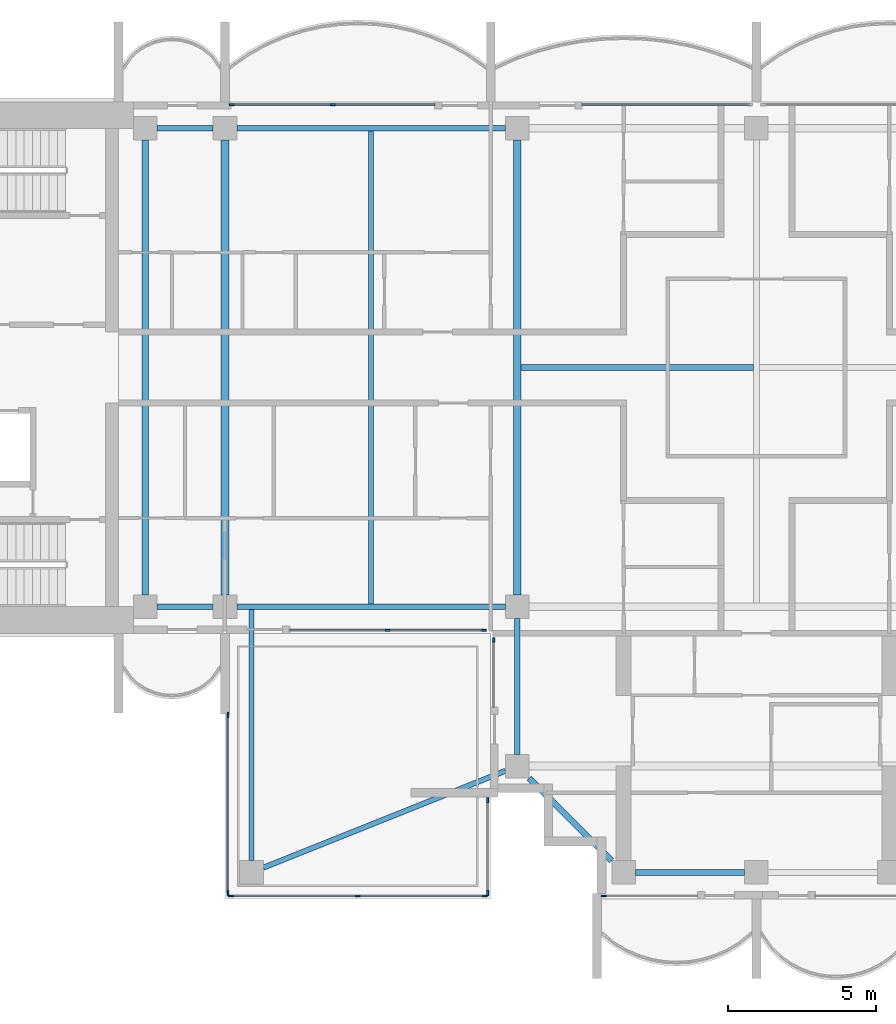
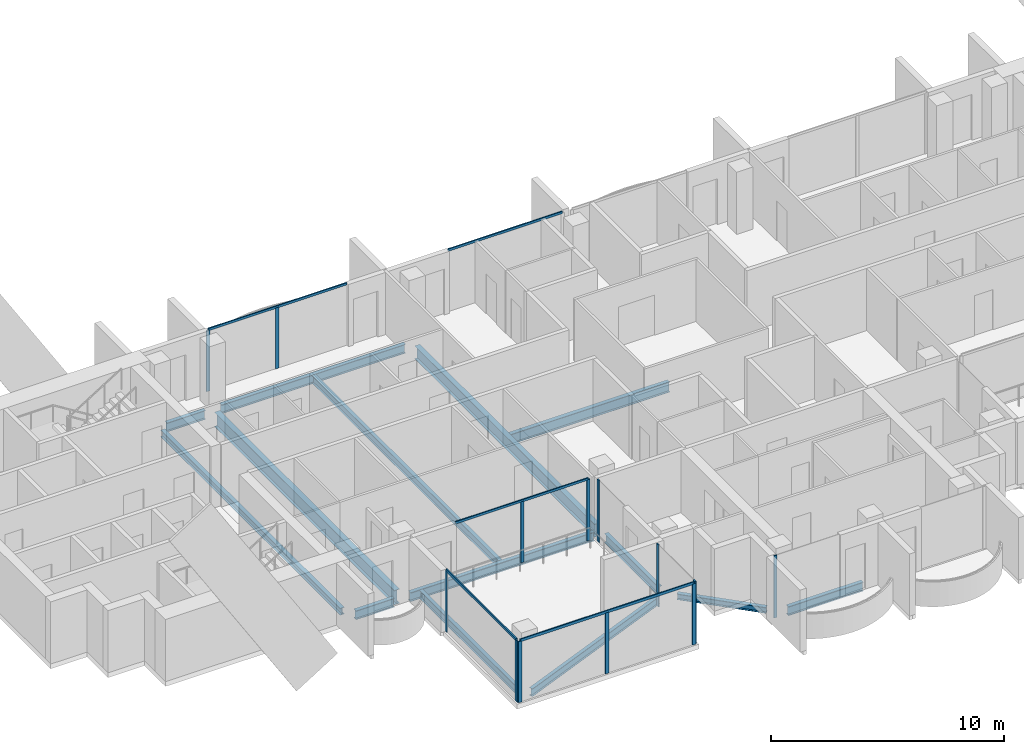
# One storey, part 2 of 16: 18 members, 14 beams, 8 elements without a shape of their own.
"""IFC4 building model written with IfcOpenShell, lengths in metres."""

from ifc_helpers import new_model, si_unit, direction, frame, origin, origin_2d, place, context, subcontext, project, spatial, rectangle, i_section, extrude, material, material_profile, profile_set, type_object, element, aggregate, save


model = new_model("IFC4")

# Units and contexts
model_context = context("Model", 3, precision=1e-05, world=origin(), true_north=direction((0.0, 1.0)))
body_context = subcontext(model_context, "Body", "Model", "MODEL_VIEW")
ifc_project = project(units=[si_unit("LENGTHUNIT", "METRE"), si_unit("AREAUNIT", "SQUARE_METRE"), si_unit("VOLUMEUNIT", "CUBIC_METRE"), si_unit("PLANEANGLEUNIT", "RADIAN"), si_unit("MASSUNIT", "GRAM", prefix="KILO")], contexts=[model_context])

# Site, building, storey
site_placement = place(None, origin())
site = spatial("IfcSite", under=ifc_project, at=site_placement, CompositionType="ELEMENT")
building_placement = place(site_placement, origin())
building = spatial("IfcBuilding", under=site, at=building_placement, Name="Perihelion Cross Residences", CompositionType="ELEMENT")
storey_placement = place(building_placement, frame((0.0, 0.0, 250.0)))
storey = spatial("IfcBuildingStorey", under=building, at=storey_placement, Name="L63", CompositionType="ELEMENT", Elevation=250.0)

# Curtain wall, members
ifc_material_1 = material(Name="Bronze anodised aluminium, tinted glazing", Category="aluminium")
curtain_wall_type_1 = type_object("IfcCurtainWallType", Name="CW1", PredefinedType="NOTDEFINED", material=ifc_material_1)
curtain_wall_1_placement = place(storey_placement, origin())
curtain_wall_1 = element("IfcCurtainWall", 1, at=curtain_wall_1_placement, inside=storey, type_object=curtain_wall_type_1, Name="Curtain wall CW1 L63 west side north bay 1", PredefinedType="NOTDEFINED")
ifc_material_2 = material(Name="Bronze anodised aluminium", Category="aluminium")
ifc_material_profile_1 = material_profile(ifc_material_2, rectangle(XDim=0.06005859375, YDim=0.159912109375, at=origin_2d()), Name="CW1 mullion")
ifc_profile_set_1 = profile_set([ifc_material_profile_1], Name="Bronze anodised aluminium")
member_type_1 = type_object("IfcMemberType", Name="CW1 mullion", PredefinedType="MULLION", material=ifc_profile_set_1)
member_1_placement = place(storey_placement, frame((-14.35009765625, 8.89990234375, 0.0), z_axis=(0.0, 0.0, 1.0), x_axis=(0.0, -1.0, 0.0)))
member_1 = element("IfcMember", 2, at=member_1_placement, type_object=member_type_1, Name="CW1 mullion 2", PredefinedType="MULLION", context=body_context, shape_type="SweptSolid", body=[
    extrude(rectangle(XDim=0.06005859375, YDim=0.159912109375, at=origin_2d()), origin(), (0.0, 0.0, 1.0), 3.18994140625),
])
member_2_placement = place(storey_placement, frame((-17.77001953125, 8.89990234375, 0.0), z_axis=(0.0, 0.0, 1.0), x_axis=(0.0, -1.0, 0.0)))
member_2 = element("IfcMember", 3, at=member_2_placement, type_object=member_type_1, Name="CW1 mullion 3", PredefinedType="MULLION", context=body_context, shape_type="SweptSolid", body=[
    extrude(rectangle(XDim=0.06005859375, YDim=0.159912109375, at=origin_2d()), origin(), (0.0, 0.0, 1.0), 3.18994140625),
])

curtain_wall_2_placement = place(storey_placement, origin())
curtain_wall_2 = element("IfcCurtainWall", 4, at=curtain_wall_2_placement, inside=storey, type_object=curtain_wall_type_1, Name="Curtain wall CW1 L63 west side south bay 2", PredefinedType="NOTDEFINED")
member_3_placement = place(storey_placement, frame((-12.5, -8.89990234375, 0.0), z_axis=(0.0, 0.0, 1.0), x_axis=(0.0, 1.0, 0.0)))
member_3 = element("IfcMember", 5, at=member_3_placement, type_object=member_type_1, Name="CW1 mullion 2", PredefinedType="MULLION", context=body_context, shape_type="SweptSolid", body=[
    extrude(rectangle(XDim=0.06005859375, YDim=0.159912109375, at=origin_2d()), origin(), (0.0, 0.0, 1.0), 3.18994140625),
])
member_4_placement = place(storey_placement, frame((-9.22998046875, -8.89990234375, 0.0), z_axis=(0.0, 0.0, 1.0), x_axis=(0.0, 1.0, 0.0)))
member_4 = element("IfcMember", 6, at=member_4_placement, type_object=member_type_1, Name="CW1 mullion 3", PredefinedType="MULLION", context=body_context, shape_type="SweptSolid", body=[
    extrude(rectangle(XDim=0.06005859375, YDim=0.159912109375, at=origin_2d()), origin(), (0.0, 0.0, 1.0), 3.18994140625),
])

# Curtain wall, member
curtain_wall_3_placement = place(storey_placement, origin())
curtain_wall_3 = element("IfcCurtainWall", 7, at=curtain_wall_3_placement, inside=storey, type_object=curtain_wall_type_1, Name="Curtain wall CW1 L63 south side west bay 1", PredefinedType="NOTDEFINED")
member_5_placement = place(storey_placement, frame((-8.89990234375, -9.22998046875, 0.0), z_axis=(0.0, 0.0, 1.0), x_axis=(1.0, 0.0, 0.0)))
member_5 = element("IfcMember", 8, at=member_5_placement, type_object=member_type_1, Name="CW1 mullion 1", PredefinedType="MULLION", context=body_context, shape_type="SweptSolid", body=[
    extrude(rectangle(XDim=0.06005859375, YDim=0.159912109375, at=origin_2d()), origin(), (0.0, 0.0, 1.0), 3.25),
])
aggregate(curtain_wall_3, [member_5])

curtain_wall_4_placement = place(storey_placement, origin())
curtain_wall_4 = element("IfcCurtainWall", 9, at=curtain_wall_4_placement, inside=storey, type_object=curtain_wall_type_1, Name="Curtain wall CW1 L63 south tip south bay 1", PredefinedType="NOTDEFINED")
member_6_placement = place(storey_placement, frame((-5.169921875, -17.89990234375, 0.0), z_axis=(0.0, 0.0, 1.0), x_axis=(0.0, 1.0, 0.0)))
member_6 = element("IfcMember", 10, at=member_6_placement, type_object=member_type_1, Name="CW1 mullion 1", PredefinedType="MULLION", context=body_context, shape_type="SweptSolid", body=[
    extrude(rectangle(XDim=0.06005859375, YDim=0.159912109375, at=origin_2d()), origin(), (0.0, 0.0, 1.0), 3.25),
])
aggregate(curtain_wall_4, [member_6])

curtain_wall_5_placement = place(storey_placement, origin())
curtain_wall_5 = element("IfcCurtainWall", 11, at=curtain_wall_5_placement, inside=storey, type_object=curtain_wall_type_1, Name="Curtain wall CW1 L63 north side east bay 2", PredefinedType="NOTDEFINED")
ifc_material_3 = material(Name="Bronze anodised aluminium", Category="aluminium")
ifc_material_profile_2 = material_profile(ifc_material_3, rectangle(XDim=0.06005859375, YDim=0.1201171875, at=origin_2d()), Name="CW1 transom")
ifc_profile_set_2 = profile_set([ifc_material_profile_2], Name="Bronze anodised aluminium")
member_type_2 = type_object("IfcMemberType", Name="CW1 transom", PredefinedType="USERDEFINED", material=ifc_profile_set_2)
member_7_placement = place(storey_placement, frame((-0.22998046875, 8.89990234375, 3.219970703125), z_axis=(-1.0, 0.0, 0.0), x_axis=(0.0, -1.0, 0.0)))
member_7 = element("IfcMember", 12, at=member_7_placement, type_object=member_type_2, Name="CW1 head transom", ObjectType="TRANSOM", PredefinedType="USERDEFINED", context=body_context, shape_type="SweptSolid", body=[
    extrude(rectangle(XDim=0.06005859375, YDim=0.1201171875, at=origin_2d()), origin(), (0.0, 0.0, 1.0), 5.669921875),
])
aggregate(curtain_wall_5, [member_7])

# Member
member_8_placement = place(storey_placement, frame((-10.89990234375, 8.89990234375, 3.219970703125), z_axis=(-1.0, 0.0, 0.0), x_axis=(0.0, -1.0, 0.0)))
member_8 = element("IfcMember", 13, at=member_8_placement, type_object=member_type_2, Name="CW1 head transom", ObjectType="TRANSOM", PredefinedType="USERDEFINED", context=body_context, shape_type="SweptSolid", body=[
    extrude(rectangle(XDim=0.06005859375, YDim=0.1201171875, at=origin_2d()), origin(), (0.0, 0.0, 1.0), 6.8701171875),
])

aggregate(curtain_wall_1, [member_1, member_2, member_8])

member_9_placement = place(storey_placement, frame((-15.800048828125, -8.89990234375, 3.219970703125), z_axis=(1.0, 0.0, 0.0), x_axis=(0.0, 1.0, 0.0)))
member_9 = element("IfcMember", 14, at=member_9_placement, type_object=member_type_2, Name="CW1 head transom", ObjectType="TRANSOM", PredefinedType="USERDEFINED", context=body_context, shape_type="SweptSolid", body=[
    extrude(rectangle(XDim=0.06005859375, YDim=0.1201171875, at=origin_2d()), origin(), (0.0, 0.0, 1.0), 6.570068359375),
])

aggregate(curtain_wall_2, [member_3, member_4, member_9])

# Curtain wall, members
ifc_material_4 = material(Name="Bronze anodised aluminium, tinted glazing", Category="aluminium")
curtain_wall_type_2 = type_object("IfcCurtainWallType", Name="CW4", PredefinedType="NOTDEFINED", material=ifc_material_4)
curtain_wall_6_placement = place(storey_placement, origin())
curtain_wall_6 = element("IfcCurtainWall", 15, at=curtain_wall_6_placement, inside=storey, type_object=curtain_wall_type_2, Name="Curtain wall CW4 L63 pocket south-west 1 1", PredefinedType="NOTDEFINED")
ifc_material_5 = material(Name="Bronze anodised aluminium", Category="aluminium")
ifc_material_profile_3 = material_profile(ifc_material_5, rectangle(XDim=0.06005859375, YDim=0.179931640625, at=origin_2d()), Name="CW4 mullion")
ifc_profile_set_3 = profile_set([ifc_material_profile_3], Name="Bronze anodised aluminium")
member_type_3 = type_object("IfcMemberType", Name="CW4 mullion", PredefinedType="MULLION", material=ifc_profile_set_3)
member_10_placement = place(storey_placement, frame((-9.10009765625, -14.658935546875, 0.0), z_axis=(0.0, 0.0, 1.0), x_axis=(1.0, 0.0, 0.0)))
member_10 = element("IfcMember", 16, at=member_10_placement, type_object=member_type_3, Name="CW4 mullion 1", PredefinedType="MULLION", context=body_context, shape_type="SweptSolid", body=[
    extrude(rectangle(XDim=0.06005859375, YDim=0.179931640625, at=origin_2d()), origin(), (0.0, 0.0, 1.0), 3.25),
])
member_11_placement = place(storey_placement, frame((-9.10009765625, -17.800048828125, 0.0), z_axis=(0.0, 0.0, 1.0), x_axis=(1.0, 0.0, 0.0)))
member_11 = element("IfcMember", 17, at=member_11_placement, type_object=member_type_3, Name="CW4 mullion 2", PredefinedType="MULLION", context=body_context, shape_type="SweptSolid", body=[
    extrude(rectangle(XDim=0.06005859375, YDim=0.179931640625, at=origin_2d()), origin(), (0.0, 0.0, 1.0), 3.25),
])
aggregate(curtain_wall_6, [member_10, member_11])

curtain_wall_7_placement = place(storey_placement, origin())
curtain_wall_7 = element("IfcCurtainWall", 18, at=curtain_wall_7_placement, inside=storey, type_object=curtain_wall_type_2, Name="Curtain wall CW4 L63 pocket south-west 1 2", PredefinedType="NOTDEFINED")
member_12_placement = place(storey_placement, frame((-9.199951171875, -17.89990234375, 0.0), z_axis=(0.0, 0.0, 1.0), x_axis=(0.0, -1.0, 0.0)))
member_12 = element("IfcMember", 19, at=member_12_placement, type_object=member_type_3, Name="CW4 mullion 1", PredefinedType="MULLION", context=body_context, shape_type="SweptSolid", body=[
    extrude(rectangle(XDim=0.06005859375, YDim=0.179931640625, at=origin_2d()), origin(), (0.0, 0.0, 1.0), 3.18994140625),
])
member_13_placement = place(storey_placement, frame((-13.5, -17.89990234375, 0.0), z_axis=(0.0, 0.0, 1.0), x_axis=(0.0, -1.0, 0.0)))
member_13 = element("IfcMember", 20, at=member_13_placement, type_object=member_type_3, Name="CW4 mullion 2", PredefinedType="MULLION", context=body_context, shape_type="SweptSolid", body=[
    extrude(rectangle(XDim=0.06005859375, YDim=0.179931640625, at=origin_2d()), origin(), (0.0, 0.0, 1.0), 3.18994140625),
])
member_14_placement = place(storey_placement, frame((-17.800048828125, -17.89990234375, 0.0), z_axis=(0.0, 0.0, 1.0), x_axis=(0.0, -1.0, 0.0)))
member_14 = element("IfcMember", 21, at=member_14_placement, type_object=member_type_3, Name="CW4 mullion 3", PredefinedType="MULLION", context=body_context, shape_type="SweptSolid", body=[
    extrude(rectangle(XDim=0.06005859375, YDim=0.179931640625, at=origin_2d()), origin(), (0.0, 0.0, 1.0), 3.18994140625),
])

curtain_wall_8_placement = place(storey_placement, origin())
curtain_wall_8 = element("IfcCurtainWall", 22, at=curtain_wall_8_placement, inside=storey, type_object=curtain_wall_type_2, Name="Curtain wall CW4 L63 pocket south-west 1 3", PredefinedType="NOTDEFINED")
member_15_placement = place(storey_placement, frame((-17.89990234375, -17.800048828125, 0.0), z_axis=(0.0, 0.0, 1.0), x_axis=(-1.0, 0.0, 0.0)))
member_15 = element("IfcMember", 23, at=member_15_placement, type_object=member_type_3, Name="CW4 mullion 1", PredefinedType="MULLION", context=body_context, shape_type="SweptSolid", body=[
    extrude(rectangle(XDim=0.06005859375, YDim=0.179931640625, at=origin_2d()), origin(), (0.0, 0.0, 1.0), 3.18994140625),
])
member_16_placement = place(storey_placement, frame((-17.89990234375, -11.77001953125, 0.0), z_axis=(0.0, 0.0, 1.0), x_axis=(-1.0, 0.0, 0.0)))
member_16 = element("IfcMember", 24, at=member_16_placement, type_object=member_type_3, Name="CW4 mullion 2", PredefinedType="MULLION", context=body_context, shape_type="SweptSolid", body=[
    extrude(rectangle(XDim=0.06005859375, YDim=0.179931640625, at=origin_2d()), origin(), (0.0, 0.0, 1.0), 3.18994140625),
])

# Member
ifc_material_6 = material(Name="Bronze anodised aluminium", Category="aluminium")
ifc_material_profile_4 = material_profile(ifc_material_6, rectangle(XDim=0.06005859375, YDim=0.139892578125, at=origin_2d()), Name="CW4 transom")
ifc_profile_set_4 = profile_set([ifc_material_profile_4], Name="Bronze anodised aluminium")
member_type_4 = type_object("IfcMemberType", Name="CW4 transom", PredefinedType="USERDEFINED", material=ifc_profile_set_4)
member_17_placement = place(storey_placement, frame((-9.199951171875, -17.89990234375, 3.219970703125), z_axis=(-1.0, 0.0, 0.0), x_axis=(0.0, -1.0, 0.0)))
member_17 = element("IfcMember", 25, at=member_17_placement, type_object=member_type_4, Name="CW4 head transom", ObjectType="TRANSOM", PredefinedType="USERDEFINED", context=body_context, shape_type="SweptSolid", body=[
    extrude(rectangle(XDim=0.06005859375, YDim=0.139892578125, at=origin_2d()), origin(), (0.0, 0.0, 1.0), 8.60009765625),
])

aggregate(curtain_wall_7, [member_12, member_13, member_14, member_17])

member_18_placement = place(storey_placement, frame((-17.89990234375, -17.800048828125, 3.219970703125), z_axis=(0.0, 1.0, 0.0), x_axis=(-1.0, 0.0, 0.0)))
member_18 = element("IfcMember", 26, at=member_18_placement, type_object=member_type_4, Name="CW4 head transom", ObjectType="TRANSOM", PredefinedType="USERDEFINED", context=body_context, shape_type="SweptSolid", body=[
    extrude(rectangle(XDim=0.06005859375, YDim=0.139892578125, at=origin_2d()), origin(), (0.0, 0.0, 1.0), 6.030029296875),
])

aggregate(curtain_wall_8, [member_15, member_16, member_18])

# Beams
ifc_material_7 = material(Name="Steel S355", Category="steel")
ifc_material_profile_5 = material_profile(ifc_material_7, i_section(OverallWidth=0.205078125, OverallDepth=0.35302734375, WebThickness=0.009521484375, FlangeThickness=0.016845703125, at=origin_2d()), Name="W360x79")
ifc_profile_set_5 = profile_set([ifc_material_profile_5], Name="Steel S355")
beam_type_1 = type_object("IfcBeamType", Name="Core edge beam W360x79", PredefinedType="BEAM", material=ifc_profile_set_5)
beam_1_placement = place(storey_placement, frame((-20.699951171875, -7.699951171875, -0.426513671875), z_axis=(0.0, 1.0, 0.0), x_axis=(-1.0, 0.0, 0.0)))
element("IfcBeam", 27, at=beam_1_placement, inside=storey, type_object=beam_type_1, Name="Core edge beam TB7 L63 no. 1", PredefinedType="BEAM", context=body_context, shape_type="SweptSolid", body=[
    extrude(i_section(OverallWidth=0.205078125, OverallDepth=0.35302734375, WebThickness=0.009521484375, FlangeThickness=0.016845703125, at=origin_2d()), origin(), (0.0, 0.0, 1.0), 15.39990234375),
])
ifc_material_8 = material(Name="Steel S355", Category="steel")
ifc_material_profile_6 = material_profile(ifc_material_8, i_section(OverallWidth=0.177978515625, OverallDepth=0.406005859375, WebThickness=0.0078125, FlangeThickness=0.0126953125, at=origin_2d()), Name="W410x60")
ifc_profile_set_6 = profile_set([ifc_material_profile_6], Name="Steel S355")
beam_type_2 = type_object("IfcBeamType", Name="Core edge beam W410x60", PredefinedType="BEAM", material=ifc_profile_set_6)
beam_2_placement = place(storey_placement, frame((-17.10009765625, -8.197021484375, -0.452880859375), z_axis=(0.0, -1.0, 0.0), x_axis=(1.0, 0.0, 0.0)))
element("IfcBeam", 28, at=beam_2_placement, inside=storey, type_object=beam_type_2, Name="Core edge beam TB2 L63 corner no. 1", PredefinedType="BEAM", context=body_context, shape_type="SweptSolid", body=[
    extrude(i_section(OverallWidth=0.177978515625, OverallDepth=0.406005859375, WebThickness=0.0078125, FlangeThickness=0.0126953125, at=origin_2d()), origin(), (0.0, 0.0, 1.0), 8.5029296875),
])
beam_3_placement = place(storey_placement, frame((-8.5, -13.659912109375, -0.452880859375), z_axis=(-0.928474784399, -0.371395442534, 0.0), x_axis=(0.371395442534, -0.928474784399, 0.0)))
element("IfcBeam", 29, at=beam_3_placement, inside=storey, type_object=beam_type_2, Name="Core edge beam TB2 L63 corner no. 2", PredefinedType="BEAM", context=body_context, shape_type="SweptSolid", body=[
    extrude(i_section(OverallWidth=0.177978515625, OverallDepth=0.406005859375, WebThickness=0.0078125, FlangeThickness=0.0126953125, at=origin_2d()), origin(), (0.0, 0.0, 1.0), 8.83154296875),
])
ifc_material_9 = material(Name="Steel S355", Category="steel")
ifc_material_profile_7 = material_profile(ifc_material_9, i_section(OverallWidth=0.194091796875, OverallDepth=0.469970703125, WebThickness=0.0126953125, FlangeThickness=0.0205078125, at=origin_2d()), Name="W460x106")
ifc_profile_set_7 = profile_set([ifc_material_profile_7], Name="Steel S355")
beam_type_3 = type_object("IfcBeamType", Name="Edge beam W460x106", PredefinedType="SPANDREL", material=ifc_profile_set_7)
beam_4_placement = place(storey_placement, frame((-8.5, 8.10009765625, -0.485107421875), z_axis=(-1.0, 0.0, 0.0), x_axis=(0.0, -1.0, 0.0)))
element("IfcBeam", 30, at=beam_4_placement, inside=storey, type_object=beam_type_3, Name="Edge beam SB5 L63 no. 6", PredefinedType="SPANDREL", context=body_context, shape_type="SweptSolid", body=[
    extrude(i_section(OverallWidth=0.194091796875, OverallDepth=0.469970703125, WebThickness=0.0126953125, FlangeThickness=0.0205078125, at=origin_2d()), origin(), (0.0, 0.0, 1.0), 9.10009765625),
])
for number, where, z_axis, x_axis, name in (
    (31, (-18.39990234375, 8.10009765625, -0.485107421875), (-1.0, 0.0, 0.0), (0.0, -1.0, 0.0), "Edge beam SB5 L63 no. 2"),
    (32, (-20.300048828125, -8.10009765625, -0.485107421875), (1.0, 0.0, 0.0), (0.0, 1.0, 0.0), "Edge beam SB5 L63 no. 3"),
):
    element("IfcBeam", number, at=place(storey_placement, frame(where, z_axis=z_axis, x_axis=x_axis)), inside=storey, type_object=beam_type_3, Name=name, PredefinedType="SPANDREL", context=body_context, shape_type="SweptSolid", body=[
        extrude(i_section(OverallWidth=0.194091796875, OverallDepth=0.469970703125, WebThickness=0.0126953125, FlangeThickness=0.0205078125, at=origin_2d()), origin(), (0.0, 0.0, 1.0), 1.900146484375),
    ])
beam_5_placement = place(storey_placement, frame((-17.60009765625, -8.10009765625, -0.485107421875), z_axis=(1.0, 0.0, 0.0), x_axis=(0.0, 1.0, 0.0)))
element("IfcBeam", 33, at=beam_5_placement, inside=storey, type_object=beam_type_3, Name="Edge beam SB5 L63 no. 1", PredefinedType="SPANDREL", context=body_context, shape_type="SweptSolid", body=[
    extrude(i_section(OverallWidth=0.194091796875, OverallDepth=0.469970703125, WebThickness=0.0126953125, FlangeThickness=0.0205078125, at=origin_2d()), origin(), (0.0, 0.0, 1.0), 9.10009765625),
])
beam_6_placement = place(storey_placement, frame((-8.10009765625, -8.5, -0.485107421875), z_axis=(0.0, -1.0, 0.0), x_axis=(1.0, 0.0, 0.0)))
element("IfcBeam", 34, at=beam_6_placement, inside=storey, type_object=beam_type_3, Name="Edge beam SB5 L63 no. 5", PredefinedType="SPANDREL", context=body_context, shape_type="SweptSolid", body=[
    extrude(i_section(OverallWidth=0.194091796875, OverallDepth=0.469970703125, WebThickness=0.0126953125, FlangeThickness=0.0205078125, at=origin_2d()), origin(), (0.0, 0.0, 1.0), 4.60009765625),
])
beam_7_placement = place(storey_placement, frame((-4.10009765625, -17.10009765625, -0.485107421875), z_axis=(1.0, 0.0, 0.0), x_axis=(0.0, 1.0, 0.0)))
element("IfcBeam", 35, at=beam_7_placement, inside=storey, type_object=beam_type_3, Name="Edge beam SB5 L63 no. 4", PredefinedType="SPANDREL", context=body_context, shape_type="SweptSolid", body=[
    extrude(i_section(OverallWidth=0.194091796875, OverallDepth=0.469970703125, WebThickness=0.0126953125, FlangeThickness=0.0205078125, at=origin_2d()), origin(), (0.0, 0.0, 1.0), 3.7001953125),
])
ifc_material_10 = material(Name="Steel S355", Category="steel")
ifc_material_profile_8 = material_profile(ifc_material_10, i_section(OverallWidth=0.26708984375, OverallDepth=0.75390625, WebThickness=0.01318359375, FlangeThickness=0.01708984375, at=origin_2d()), Name="W760x147")
ifc_profile_set_8 = profile_set([ifc_material_profile_8], Name="Steel S355")
beam_type_4 = type_object("IfcBeamType", Name="Floor girder W760x147", PredefinedType="BEAM", material=ifc_profile_set_8)
beam_8_placement = place(storey_placement, frame((-18.0, -7.699951171875, -0.626953125), z_axis=(0.0, 1.0, 0.0), x_axis=(-1.0, 0.0, 0.0)))
element("IfcBeam", 36, at=beam_8_placement, inside=storey, type_object=beam_type_4, Name="Girder G5 L63 no. 1", PredefinedType="BEAM", context=body_context, shape_type="SweptSolid", body=[
    extrude(i_section(OverallWidth=0.26708984375, OverallDepth=0.75390625, WebThickness=0.01318359375, FlangeThickness=0.01708984375, at=origin_2d()), origin(), (0.0, 0.0, 1.0), 15.39990234375),
])
ifc_material_11 = material(Name="Steel S355", Category="steel")
ifc_material_profile_9 = material_profile(ifc_material_11, i_section(OverallWidth=0.177978515625, OverallDepth=0.406005859375, WebThickness=0.0078125, FlangeThickness=0.0126953125, at=origin_2d()), Name="W410x60")
ifc_profile_set_9 = profile_set([ifc_material_profile_9], Name="Steel S355")
beam_type_5 = type_object("IfcBeamType", Name="Floor joist W410x60", PredefinedType="JOIST", material=ifc_profile_set_9)
beam_9_placement = place(storey_placement, frame((-13.050048828125, -8.0029296875, -0.452880859375), z_axis=(0.0, 1.0, 0.0), x_axis=(-1.0, 0.0, 0.0)))
element("IfcBeam", 37, at=beam_9_placement, inside=storey, type_object=beam_type_5, Name="Joist J6 L63 no. 1", PredefinedType="JOIST", context=body_context, shape_type="SweptSolid", body=[
    extrude(i_section(OverallWidth=0.177978515625, OverallDepth=0.406005859375, WebThickness=0.0078125, FlangeThickness=0.0126953125, at=origin_2d()), origin(), (0.0, 0.0, 1.0), 16.005859375),
])
ifc_material_12 = material(Name="Steel S355", Category="steel")
ifc_material_profile_10 = material_profile(ifc_material_12, i_section(OverallWidth=0.208984375, OverallDepth=0.532958984375, WebThickness=0.01025390625, FlangeThickness=0.015625, at=origin_2d()), Name="W530x92")
ifc_profile_set_10 = profile_set([ifc_material_profile_10], Name="Steel S355")
beam_type_6 = type_object("IfcBeamType", Name="Hub cross beam W530x92", PredefinedType="BEAM", material=ifc_profile_set_10)
beam_10_placement = place(storey_placement, frame((-7.972900390625, 0.0, -0.5166015625), z_axis=(1.0, 0.0, 0.0), x_axis=(0.0, 1.0, 0.0)))
element("IfcBeam", 38, at=beam_10_placement, inside=storey, type_object=beam_type_6, Name="Hub cross beam XB5 L63 1 no. 1", PredefinedType="BEAM", context=body_context, shape_type="SweptSolid", body=[
    extrude(i_section(OverallWidth=0.208984375, OverallDepth=0.532958984375, WebThickness=0.01025390625, FlangeThickness=0.015625, at=origin_2d()), origin(), (0.0, 0.0, 1.0), 7.868408203125),
])
ifc_material_13 = material(Name="Steel S355", Category="steel")
ifc_material_profile_11 = material_profile(ifc_material_13, i_section(OverallWidth=0.25390625, OverallDepth=0.677978515625, WebThickness=0.01171875, FlangeThickness=0.016357421875, at=origin_2d()), Name="W690x125")
ifc_profile_set_11 = profile_set([ifc_material_profile_11], Name="Steel S355")
beam_type_7 = type_object("IfcBeamType", Name="Hub ring girder W690x125", PredefinedType="BEAM", material=ifc_profile_set_11)
beam_11_placement = place(storey_placement, frame((-8.10009765625, 7.699951171875, -0.589111328125), z_axis=(0.0, -1.0, 0.0), x_axis=(1.0, 0.0, 0.0)))
element("IfcBeam", 39, at=beam_11_placement, inside=storey, type_object=beam_type_7, Name="Hub ring girder RG5 L63 no. 2", PredefinedType="BEAM", context=body_context, shape_type="SweptSolid", body=[
    extrude(i_section(OverallWidth=0.25390625, OverallDepth=0.677978515625, WebThickness=0.01171875, FlangeThickness=0.016357421875, at=origin_2d()), origin(), (0.0, 0.0, 1.0), 15.39990234375),
])
ifc_material_14 = material(Name="Steel S355", Category="steel")
ifc_material_profile_12 = material_profile(ifc_material_14, i_section(OverallWidth=0.202880859375, OverallDepth=0.302001953125, WebThickness=0.007568359375, FlangeThickness=0.01318359375, at=origin_2d()), Name="W310x60")
ifc_profile_set_12 = profile_set([ifc_material_profile_12], Name="Steel S355")
beam_type_8 = type_object("IfcBeamType", Name="Serration edge beam W310x60", PredefinedType="BEAM", material=ifc_profile_set_12)
beam_12_placement = place(storey_placement, frame((-7.699951171875, -13.89990234375, -0.40087890625), z_axis=(0.707106781187, -0.707106781187, 0.0), x_axis=(0.707106781187, 0.707106781187, 0.0)))
element("IfcBeam", 40, at=beam_12_placement, inside=storey, type_object=beam_type_8, Name="Serration edge beam EB5 L63 no. 1", PredefinedType="BEAM", context=body_context, shape_type="SweptSolid", body=[
    extrude(i_section(OverallWidth=0.202880859375, OverallDepth=0.302001953125, WebThickness=0.007568359375, FlangeThickness=0.01318359375, at=origin_2d()), origin(), (0.0, 0.0, 1.0), 3.9599609375),
])

save(model, "model.ifc")
